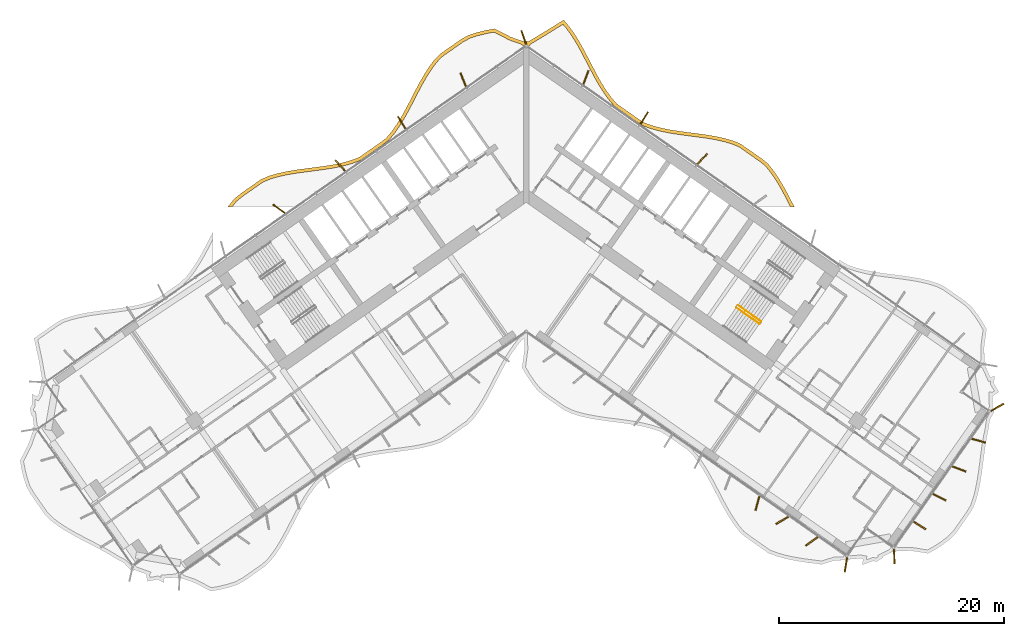
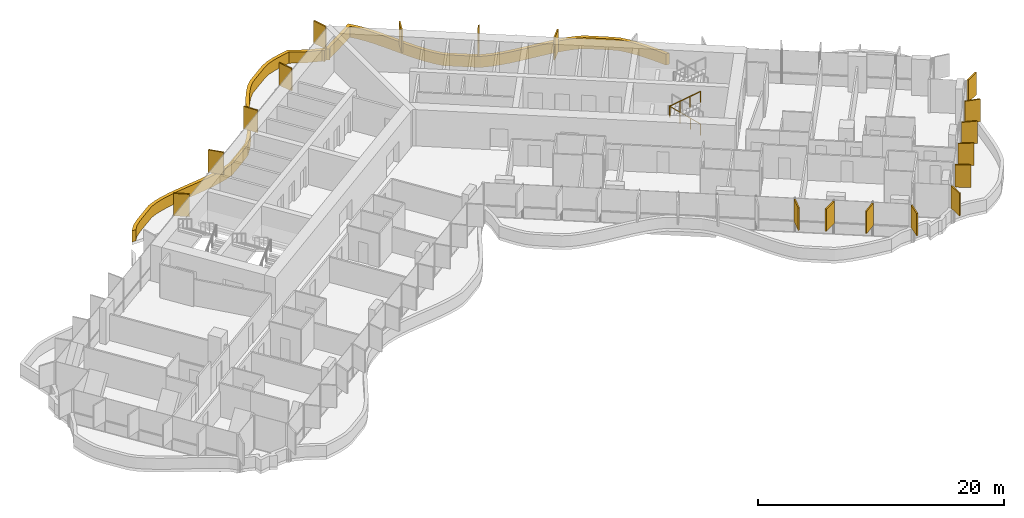
# One storey, part 22 of 23: 19 shading devices, 2 railings.
"""IFC4 building model written with IfcOpenShell, lengths in metres."""

from ifc_helpers import new_model, si_unit, direction, frame, origin, origin_2d, place, context, subcontext, project, spatial, polyline, rectangle, circle, outline, extrude, material, layer, layer_set, type_object, element, save


model = new_model("IFC4")

# Units and contexts
model_context = context("Model", 3, precision=1e-05, world=origin(), true_north=direction((0.0, 1.0)))
body_context = subcontext(model_context, "Body", "Model", "MODEL_VIEW")
ifc_project = project(units=[si_unit("LENGTHUNIT", "METRE"), si_unit("AREAUNIT", "SQUARE_METRE"), si_unit("VOLUMEUNIT", "CUBIC_METRE"), si_unit("PLANEANGLEUNIT", "RADIAN"), si_unit("MASSUNIT", "GRAM", prefix="KILO")], contexts=[model_context])

# Site, building, storey
site_placement = place(None, origin())
site = spatial("IfcSite", under=ifc_project, at=site_placement, CompositionType="ELEMENT")
building_placement = place(site_placement, origin())
building = spatial("IfcBuilding", under=site, at=building_placement, Name="Tel Ilan Convention Tower", CompositionType="ELEMENT")
storey_placement = place(building_placement, frame((0.0, 0.0, 94.10009765625)))
storey = spatial("IfcBuildingStorey", under=building, at=storey_placement, Name="L19", CompositionType="ELEMENT", Elevation=94.10009765625)

# Shading devices
ifc_material_1 = material(Name="Aluminium, bronze anodised", Category="aluminium")
ifc_layer_1 = layer(ifc_material_1, 0.1201171875)
ifc_layer_set_1 = layer_set([ifc_layer_1], Name="FIN BRONZE 1300x120")
shading_device_type_1 = type_object("IfcShadingDeviceType", Name="FIN BRONZE 1300x120", PredefinedType="USERDEFINED", material=ifc_layer_set_1)
for number, where, z_axis, x_axis, name in (
    (1, (15.67236328125, 2.639404296875, 1.10009765625), (0.0, 0.0, 1.0), (0.686241637865, 0.727373641577, 0.0), "FIN"),
    (2, (10.49560546875, 6.264404296875, 1.10009765625), (0.0, 0.0, 1.0), (0.533204432798, 0.845986425922, 0.0), "FIN"),
    (3, (5.31591796875, 9.883056640625, 1.10009765625), (0.0, 0.0, 1.0), (0.360177724803, 0.932883704733, 0.0), "FIN"),
    (4, (-0.21630859375, 13.450439453125, 1.10009765625), (0.0, 0.0, 1.0), (-0.332892691468, 0.942964716183, 0.0), "FIN"),
    (5, (-5.6025390625, 9.682373046875, 1.10009765625), (0.0, 0.0, 1.0), (-0.360177724803, 0.932883704733, 0.0), "FIN"),
    (6, (-11.069091796875, 5.863037109375, 1.10009765625), (0.0, 0.0, 1.0), (-0.533204432798, 0.845986425922, 0.0), "FIN"),
    (7, (-16.532470703125, 2.037109375, 1.10009765625), (0.0, 0.0, 1.0), (-0.686241637865, 0.727373641577, 0.0), "FIN"),
    (8, (-21.982177734375, -1.802001953125, 1.10009765625), (0.0, 0.0, 1.0), (-0.813552070258, 0.581492071294, 0.0), "FIN"),
    (9, (20.574951171875, -27.996826171875, 1.10009765625), (0.0, 0.0, 1.0), (-0.268172612768, -0.963370878614, 0.0), "FIN"),
    (10, (22.7783203125, -29.517333984375, 1.10009765625), (0.0, 0.0, 1.0), (-0.866025403784, -0.5, 0.0), "FIN"),
    (11, (25.41064453125, -31.3828125, 1.10009765625), (0.0, 0.0, 1.0), (-0.813552070258, -0.581492071294, 0.0), "FIN"),
    (12, (28.4423828125, -33.46630859375, 1.10009765625), (0.0, 0.0, 1.0), (-0.16409119891, -0.986445172547, 0.0), "FIN"),
    (13, (32.744140625, -32.72705078125, 1.10009765625), (0.0, 0.0, 1.0), (0.029084718749, -0.999576950082, 0.0), "FIN"),
    (14, (34.996337890625, -29.959716796875, 1.10009765625), (0.0, 0.0, 1.0), (0.845986425922, -0.533204432798, 0.0), "FIN"),
    (15, (36.7529296875, -27.45068359375, 1.10009765625), (0.0, 0.0, 1.0), (0.893632640321, -0.448799180206, 0.0), "FIN"),
    (16, (38.50390625, -24.93896484375, 1.10009765625), (0.0, 0.0, 1.0), (0.932883704733, -0.360177724803, 0.0), "FIN"),
    (17, (40.2490234375, -22.425048828125, 1.10009765625), (0.0, 0.0, 1.0), (0.963370878614, -0.268172612768, 0.0), "FIN"),
    (18, (41.91259765625, -19.458984375, 1.10009765625), (0.0, 0.0, 1.0), (0.870832754082, 0.491579408049, 0.0), "FIN"),
):
    element("IfcShadingDevice", number, at=place(storey_placement, frame(where, z_axis=z_axis, x_axis=x_axis)), inside=storey, type_object=shading_device_type_1, Name=name, ObjectType="FIN", PredefinedType="USERDEFINED", context=body_context, shape_type="SweptSolid", body=[
        extrude(rectangle(XDim=1.300048828125, YDim=0.1201171875, at=origin_2d()), origin(), (0.0, 0.0, 1.0), 2.219970703125),
    ])
ifc_material_2 = material(Name="Aluminium, bronze anodised", Category="aluminium")
ifc_layer_2 = layer(ifc_material_2, 0.300048828125)
ifc_layer_set_2 = layer_set([ifc_layer_2], Name="LOUVRE BAND 300x1100")
shading_device_type_2 = type_object("IfcShadingDeviceType", Name="LOUVRE BAND 300x1100", PredefinedType="USERDEFINED", material=ifc_layer_set_2)
shading_device_placement = place(storey_placement, origin())
element("IfcShadingDevice", 19, at=shading_device_placement, inside=storey, type_object=shading_device_type_2, Name="LOUVRE BAND 17.02", ObjectType="LOUVRE", PredefinedType="USERDEFINED", context=body_context, shape_type="SweptSolid", body=[
    extrude(outline(polyline([(-26.470947265625, -1.533447265625), (-26.5380859375, -1.631591796875), (-26.164794921875, -1.631591796875), (-25.768798828125, -1.13916015625), (-25.22119140625, -0.691162109375), (-23.4189453125, 0.570556640625), (-22.757568359375, 0.845947265625), (-22.025146484375, 1.0595703125), (-21.250732421875, 1.229248046875), (-20.445556640625, 1.36474609375), (-17.94091796875, 1.697021484375), (-17.10986328125, 1.831298828125), (-16.29736328125, 2.001220703125), (-15.51171875, 2.2197265625), (-14.73974609375, 2.50537109375), (-14.091552734375, 2.951171875), (-12.86083984375, 3.812744140625), (-12.2314453125, 4.287841796875), (-11.706298828125, 4.921142578125), (-11.2373046875, 5.590576171875), (-10.803466796875, 6.300537109375), (-10.395751953125, 7.0380859375), (-9.617919921875, 8.540283203125), (-9.227294921875, 9.275390625), (-8.822509765625, 9.9814453125), (-8.39501953125, 10.64501953125), (-7.941650390625, 11.25048828125), (-7.44140625, 11.75830078125), (-5.638916015625, 13.020263671875), (-5.01953125, 13.36328125), (-4.31494140625, 13.594970703125), (-3.555908203125, 13.7822265625), (-2.858154296875, 13.91259765625), (-1.501220703125, 13.2119140625), (-0.362548828125, 12.812744140625), (-0.24609375, 12.646728515625), (0.0, 12.818115234375), (0.24609375, 12.646728515625), (0.38134765625, 12.839599609375), (1.88916015625, 13.747314453125), (3.271728515625, 14.607177734375), (3.593017578125, 14.232666015625), (4.037353515625, 13.614990234375), (4.454345703125, 12.947998046875), (4.8505859375, 12.2421875), (6.0068359375, 10.025390625), (6.4140625, 9.2998046875), (6.84814453125, 8.603759765625), (7.318115234375, 7.94921875), (7.845947265625, 7.3291015625), (9.697021484375, 6.0283203125), (10.3486328125, 5.60009765625), (11.1142578125, 5.323974609375), (11.8935546875, 5.112060546875), (12.69873046875, 4.94677734375), (13.521240234375, 4.815673828125), (15.99755859375, 4.4873046875), (16.79345703125, 4.35302734375), (17.559326171875, 4.18505859375), (18.284423828125, 3.97412109375), (18.94091796875, 3.7060546875), (20.723876953125, 2.457763671875), (21.272216796875, 2.02392578125), (21.729736328125, 1.462646484375), (22.166748046875, 0.83154296875), (22.57763671875, 0.153564453125), (22.97021484375, -0.56005859375), (23.52587890625, -1.631591796875), (23.86328125, -1.631591796875), (23.23486328125, -0.41845703125), (22.837646484375, 0.303466796875), (22.418701171875, 0.99462890625), (21.9697265625, 1.64306640625), (21.484130859375, 2.239013671875), (20.903076171875, 2.698486328125), (19.08544921875, 3.97119140625), (18.38330078125, 4.2578125), (17.63330078125, 4.47607421875), (16.8505859375, 4.647705078125), (16.043212890625, 4.783935546875), (13.564697265625, 5.112548828125), (12.75244140625, 5.241943359375), (11.963134765625, 5.404052734375), (11.20458984375, 5.610107421875), (10.483642578125, 5.8701171875), (9.865478515625, 6.276611328125), (8.050048828125, 7.55224609375), (7.5546875, 8.134033203125), (7.09765625, 8.770751953125), (6.672119140625, 9.452880859375), (6.2705078125, 10.168701171875), (5.1142578125, 12.385498046875), (4.71240234375, 13.100830078125), (4.28662109375, 13.7822265625), (3.8291015625, 14.418212890625), (3.331787109375, 14.997802734375), (1.732666015625, 14.003173828125), (0.168701171875, 13.059326171875), (0.11474609375, 13.09521484375), (0.0, 13.1181640625), (-0.11474609375, 13.09521484375), (-0.168701171875, 13.059326171875), (-1.382080078125, 13.48828125), (-2.81201171875, 14.226318359375), (-3.619384765625, 14.075439453125), (-4.39794921875, 13.883544921875), (-5.14013671875, 13.639404296875), (-5.798095703125, 13.275146484375), (-7.635986328125, 11.98828125), (-8.169677734375, 11.446533203125), (-8.641357421875, 10.81640625), (-9.078857421875, 10.13720703125), (-9.489990234375, 9.42041015625), (-9.8837890625, 8.67919921875), (-10.66015625, 7.179931640625), (-11.06298828125, 6.451416015625), (-11.488525390625, 5.755126953125), (-11.945068359375, 5.103271484375), (-12.43994140625, 4.506103515625), (-13.037353515625, 4.055419921875), (-14.87890625, 2.773681640625), (-15.60400390625, 2.50537109375), (-16.3681640625, 2.29296875), (-17.16455078125, 2.12646484375), (-17.98486328125, 1.993896484375), (-20.490966796875, 1.661376953125), (-21.307861328125, 1.52392578125), (-22.099365234375, 1.350341796875), (-22.857421875, 1.129150390625), (-23.564453125, 0.8349609375), (-25.40234375, -0.451904296875), (-25.98291015625, -0.9267578125), (-26.470947265625, -1.533447265625)])), origin(), (0.0, 0.0, 1.0), 1.099853515625),
])

# Railings
ifc_material_3 = material(Name="Stainless Steel Grade 316", Category="steel")
railing_type = type_object("IfcRailingType", Name="Stainless Steel Stair Guard 1100 mm", PredefinedType="GUARDRAIL", material=ifc_material_3)
railing_1_placement = place(storey_placement, frame((20.89697265625, -11.824462890625, 0.179931640625)))
element("IfcRailing", 20, at=railing_1_placement, inside=storey, type_object=railing_type, Name="L19 S4 stair guard 1", PredefinedType="GUARDRAIL", context=body_context, shape_type="SweptSolid", body=[
    extrude(circle(Radius=0.02392578125, at=origin_2d()), frame((0.0, 0.0, 1.076171875), z_axis=(-0.689043377453, 0.48253410265, 0.540721798865), x_axis=(-0.573624882958, -0.819118119475, 0.0)), (0.0, 0.0, 1.0), 2.995849609375),
    extrude(circle(Radius=0.02099609375, at=origin_2d()), origin(), (0.0, 0.0, 1.0), 1.052001953125),
    extrude(circle(Radius=0.02099609375, at=origin_2d()), frame((-0.68798828125, 0.48193359375, 0.5400390625)), (0.0, 0.0, 1.0), 1.052001953125),
    extrude(circle(Radius=0.02099609375, at=origin_2d()), frame((-1.376220703125, 0.963623046875, 1.079833984375)), (0.0, 0.0, 1.0), 1.052001953125),
    extrude(circle(Radius=0.02099609375, at=origin_2d()), frame((-2.064208984375, 1.445556640625, 1.619873046875)), (0.0, 0.0, 1.0), 1.052001953125),
])
railing_2_placement = place(storey_placement, frame((18.689208984375, -10.583740234375, 1.97998046875)))
element("IfcRailing", 21, at=railing_2_placement, inside=storey, type_object=railing_type, Name="L19 S4 stair guard 3", PredefinedType="GUARDRAIL", context=body_context, shape_type="SweptSolid", body=[
    extrude(circle(Radius=0.02392578125, at=origin_2d()), frame((0.0, 0.0, 1.076171875), z_axis=(0.689086176785, -0.482507007183, 0.540691436018), x_axis=(0.573579365141, 0.81914999352, 0.0)), (0.0, 0.0, 1.0), 2.995849609375),
    extrude(circle(Radius=0.02099609375, at=origin_2d()), origin(), (0.0, 0.0, 1.0), 1.052001953125),
    extrude(circle(Radius=0.02099609375, at=origin_2d()), frame((0.688232421875, -0.48193359375, 0.5400390625)), (0.0, 0.0, 1.0), 1.052001953125),
    extrude(circle(Radius=0.02099609375, at=origin_2d()), frame((1.376220703125, -0.963623046875, 1.079833984375)), (0.0, 0.0, 1.0), 1.052001953125),
    extrude(circle(Radius=0.02099609375, at=origin_2d()), frame((2.064453125, -1.445556640625, 1.619873046875)), (0.0, 0.0, 1.0), 1.052001953125),
])

save(model, "model.ifc")
